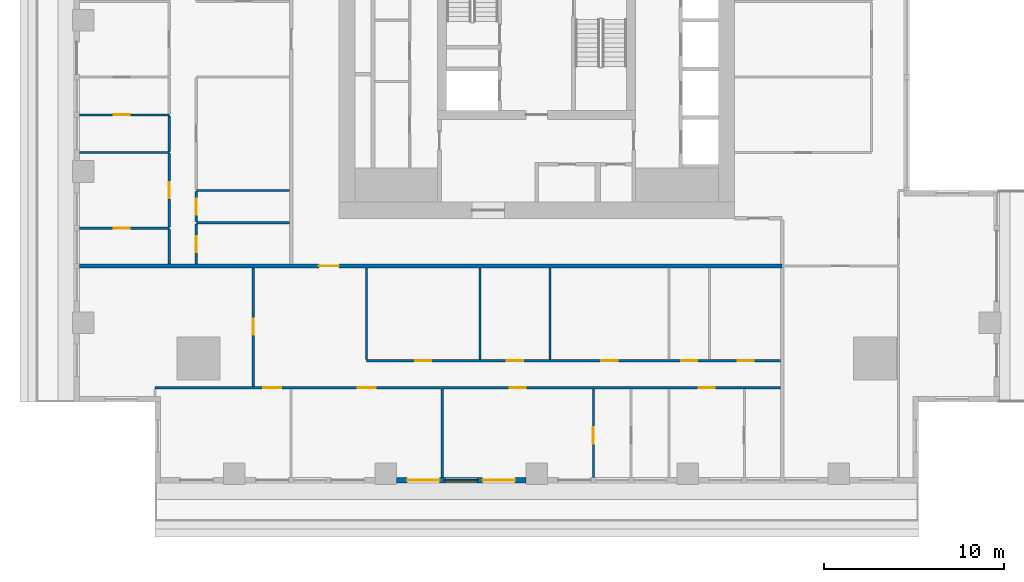
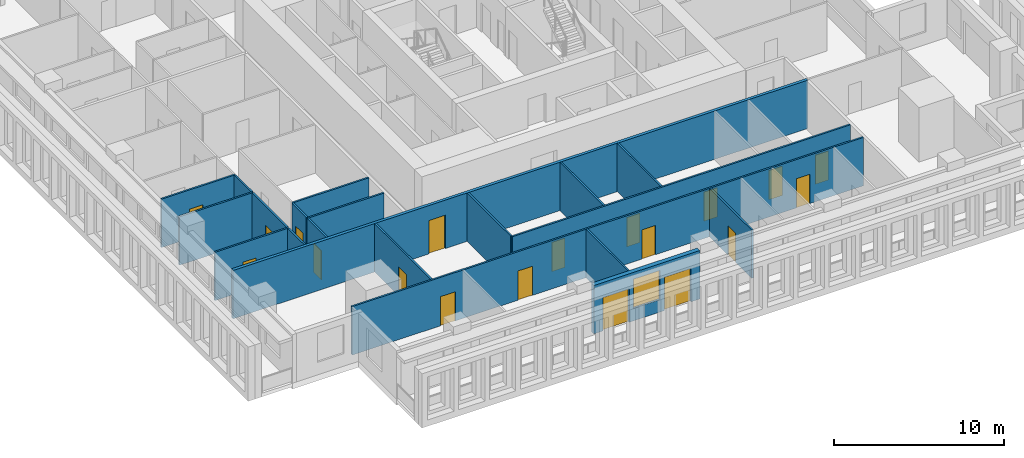
# One storey, part 2 of 15: 20 walls, 19 doors, 1 window, 20 openings.
"""IFC4 building model written with IfcOpenShell, lengths in metres."""

from ifc_helpers import new_model, si_unit, direction, frame, frame_2d, origin, place, context, subcontext, project, spatial, rectangle, extrude, material, layer, layer_set, type_object, element, fill, save


model = new_model("IFC4")

# Units and contexts
model_context = context("Model", 3, precision=1e-05, world=origin(), true_north=direction((0.0, 1.0)))
body_context = subcontext(model_context, "Body", "Model", "MODEL_VIEW")
ifc_project = project(units=[si_unit("LENGTHUNIT", "METRE"), si_unit("AREAUNIT", "SQUARE_METRE"), si_unit("VOLUMEUNIT", "CUBIC_METRE"), si_unit("PLANEANGLEUNIT", "RADIAN"), si_unit("MASSUNIT", "GRAM", prefix="KILO")], contexts=[model_context])

# Site, building, storey
site_placement = place(None, origin())
site = spatial("IfcSite", under=ifc_project, at=site_placement, CompositionType="ELEMENT")
building_placement = place(site_placement, origin())
building = spatial("IfcBuilding", under=site, at=building_placement, Name="Khepri Terraces", CompositionType="ELEMENT")
storey_placement = place(building_placement, frame((0.0, 0.0, 215.699951171875)))
storey = spatial("IfcBuildingStorey", under=building, at=storey_placement, Name="L51", CompositionType="ELEMENT", Elevation=215.699951171875)

# Wall, opening, door
ifc_material_1 = material(Name="Fire-rated gypsum plasterboard partition, mineral wool")
ifc_layer_1 = layer(ifc_material_1, 0.199951171875, Name="Fire-rated gypsum plasterboard partition, mineral wool")
ifc_layer_set_1 = layer_set([ifc_layer_1], Name="Fire-rated gypsum plasterboard partition, mineral wool")
wall_type_1 = type_object("IfcWallType", Name="WL-CORR-200", PredefinedType="PARTITIONING", material=ifc_layer_set_1)
wall_1_placement = place(storey_placement, frame((-25.419921875, -13.64990234375, 0.0), z_axis=(0.0, 0.0, 1.0), x_axis=(1.0, 0.0, 0.0)))
wall_1 = element("IfcWall", 1, at=wall_1_placement, inside=storey, type_object=wall_type_1, Name="Partition P-018 L51", PredefinedType="PARTITIONING", context=body_context, shape_type="SweptSolid", body=[
    extrude(rectangle(XDim=39.06982421875, YDim=0.199951171875, at=frame_2d((19.534912109375, 0.0))), origin(), (0.0, 0.0, 1.0), 3.47998046875),
])
opening_1_placement = place(wall_1_placement, frame((13.320068359375, 0.0, 0.0)))
opening_1 = element("IfcOpeningElement", 2, at=opening_1_placement, cuts=wall_1, Name="Opening D1", PredefinedType="OPENING", context=body_context, shape_type="SweptSolid", body=[
    extrude(rectangle(XDim=1.10009765625, YDim=2.39990234375, at=frame_2d((0.550048828125, 1.199951171875))), frame((0.0, 0.10986328125, 0.0), z_axis=(0.0, -1.0, 0.0), x_axis=(1.0, 0.0, 0.0)), (0.0, 0.0, 1.0), 0.219970703125),
])
ifc_material_2 = material(Name="Solid-core timber door leaf, flat entrance door", Category="wood")
door_type_1 = type_object("IfcDoorType", Name="DR-ENT-1100", OperationType="NOTDEFINED", PredefinedType="DOOR", material=ifc_material_2)
door_1_placement = place(opening_1_placement, frame((1.10009765625, 0.0, 0.0), z_axis=(0.0, 0.0, 1.0), x_axis=(-1.0, 0.0, 0.0)))
door_1 = element("IfcDoor", 3, at=door_1_placement, inside=storey, type_object=door_type_1, Name="Flat A1 entrance door", OperationType="SINGLE_SWING_RIGHT", OverallHeight=2.39990234375, OverallWidth=1.10009765625, PredefinedType="DOOR", context=body_context, shape_type="SweptSolid", body=[
    extrude(rectangle(XDim=1.10009765625, YDim=2.39990234375, at=frame_2d((0.550048828125, 1.199951171875))), frame((0.0, 0.02490234375, 0.0), z_axis=(0.0, -1.0, 0.0), x_axis=(1.0, 0.0, 0.0)), (0.0, 0.0, 1.0), 0.050048828125),
])
fill(opening_1, door_1)

# Wall, openings, doors, window
ifc_material_3 = material(Name="Precast concrete C50/60 warm stone", Category="masonry")
ifc_layer_2 = layer(ifc_material_3, 0.300048828125, Name="Precast concrete C50/60 warm stone", Category="masonry")
ifc_layer_set_2 = layer_set([ifc_layer_2], Name="Precast concrete C50/60 warm stone")
wall_type_2 = type_object("IfcWallType", Name="WL-EXT-PRECAST-300", PredefinedType="STANDARD", material=ifc_layer_set_2)
wall_2_placement = place(storey_placement, frame((-7.800048828125, -25.570068359375, 0.0), z_axis=(0.0, 0.0, 1.0), x_axis=(1.0, 0.0, 0.0)))
wall_2 = element("IfcWall", 4, at=wall_2_placement, inside=storey, type_object=wall_type_2, Name="External wall L51 S", PredefinedType="STANDARD", context=body_context, shape_type="SweptSolid", body=[
    extrude(rectangle(XDim=7.199951171875, YDim=0.300048828125, at=frame_2d((3.60009765625, 0.0))), origin(), (0.0, 0.0, 1.0), 3.47998046875),
])
opening_2_placement = place(wall_2_placement, frame((0.60009765625, 0.0, 0.0)))
opening_2 = element("IfcOpeningElement", 5, at=opening_2_placement, cuts=wall_2, Name="Opening ED-L51-18", PredefinedType="OPENING", context=body_context, shape_type="SweptSolid", body=[
    extrude(rectangle(XDim=1.800048828125, YDim=2.39990234375, at=frame_2d((0.89990234375, 1.199951171875))), frame((0.0, 0.16015625, 0.0), z_axis=(0.0, -1.0, 0.0), x_axis=(1.0, 0.0, 0.0)), (0.0, 0.0, 1.0), 0.320068359375),
])
opening_3_placement = place(wall_2_placement, frame((2.699951171875, 0.0, 0.89990234375)))
opening_3 = element("IfcOpeningElement", 6, at=opening_3_placement, cuts=wall_2, Name="Opening W1", PredefinedType="OPENING", context=body_context, shape_type="SweptSolid", body=[
    extrude(rectangle(XDim=1.800048828125, YDim=2.10009765625, at=frame_2d((0.89990234375, 1.050048828125))), frame((0.0, 0.16015625, 0.0), z_axis=(0.0, -1.0, 0.0), x_axis=(1.0, 0.0, 0.0)), (0.0, 0.0, 1.0), 0.320068359375),
])
opening_4_placement = place(wall_2_placement, frame((4.800048828125, 0.0, 0.0)))
opening_4 = element("IfcOpeningElement", 7, at=opening_4_placement, cuts=wall_2, Name="Opening ED-L51-19", PredefinedType="OPENING", context=body_context, shape_type="SweptSolid", body=[
    extrude(rectangle(XDim=1.800048828125, YDim=2.39990234375, at=frame_2d((0.89990234375, 1.199951171875))), frame((0.0, 0.16015625, 0.0), z_axis=(0.0, -1.0, 0.0), x_axis=(1.0, 0.0, 0.0)), (0.0, 0.0, 1.0), 0.320068359375),
])
ifc_material_4 = material(Name="Anodised aluminium bronze glazed door", Category="aluminium")
door_type_2 = type_object("IfcDoorType", Name="DR-BAL-SLIDE-1800x2400", OperationType="NOTDEFINED", PredefinedType="DOOR", material=ifc_material_4)
door_2_placement = place(opening_2_placement, origin())
door_2 = element("IfcDoor", 8, at=door_2_placement, inside=storey, type_object=door_type_2, Name="Balcony door L51 S", OperationType="SLIDING_TO_LEFT", OverallHeight=2.39990234375, OverallWidth=1.800048828125, PredefinedType="DOOR", context=body_context, shape_type="SweptSolid", body=[
    extrude(rectangle(XDim=1.800048828125, YDim=2.39990234375, at=frame_2d((0.89990234375, 1.199951171875))), frame((0.0, 0.02490234375, 0.0), z_axis=(0.0, -1.0, 0.0), x_axis=(1.0, 0.0, 0.0)), (0.0, 0.0, 1.0), 0.050048828125),
])
fill(opening_2, door_2)
door_3_placement = place(opening_4_placement, origin())
door_3 = element("IfcDoor", 9, at=door_3_placement, inside=storey, type_object=door_type_2, Name="Balcony door L51 S", OperationType="SLIDING_TO_RIGHT", OverallHeight=2.39990234375, OverallWidth=1.800048828125, PredefinedType="DOOR", context=body_context, shape_type="SweptSolid", body=[
    extrude(rectangle(XDim=1.800048828125, YDim=2.39990234375, at=frame_2d((0.89990234375, 1.199951171875))), frame((0.0, 0.02490234375, 0.0), z_axis=(0.0, -1.0, 0.0), x_axis=(1.0, 0.0, 0.0)), (0.0, 0.0, 1.0), 0.050048828125),
])
fill(opening_4, door_3)
ifc_material_5 = material(Name="Clear glass", Category="glass")
window_type = type_object("IfcWindowType", Name="WIN-RES-1800x2100", PartitioningType="SINGLE_PANEL", PredefinedType="WINDOW", material=ifc_material_5)
window_placement = place(opening_3_placement, origin())
window = element("IfcWindow", 10, at=window_placement, inside=storey, type_object=window_type, Name="Window L51 S", OverallHeight=2.10009765625, OverallWidth=1.800048828125, PartitioningType="SINGLE_PANEL", PredefinedType="WINDOW", context=body_context, shape_type="SweptSolid", body=[
    extrude(rectangle(XDim=1.800048828125, YDim=2.10009765625, at=frame_2d((0.89990234375, 1.050048828125))), frame((0.0, 0.030029296875, 0.0), z_axis=(0.0, -1.0, 0.0), x_axis=(1.0, 0.0, 0.0)), (0.0, 0.0, 1.0), 0.06005859375),
])
fill(opening_3, window)

# Wall
ifc_material_6 = material(Name="Gypsum plasterboard partition")
ifc_layer_3 = layer(ifc_material_6, 0.1201171875, Name="Gypsum plasterboard partition")
ifc_layer_set_3 = layer_set([ifc_layer_3], Name="Gypsum plasterboard partition")
wall_type_3 = type_object("IfcWallType", Name="WL-PART-120", PredefinedType="PARTITIONING", material=ifc_layer_set_3)
wall_3_placement = place(storey_placement, frame((-5.25, -25.419921875, 0.0), z_axis=(0.0, 0.0, 1.0), x_axis=(0.0, 1.0, 0.0)))
element("IfcWall", 11, at=wall_3_placement, inside=storey, type_object=wall_type_3, Name="Partition P-002 L51", PredefinedType="PARTITIONING", context=body_context, shape_type="SweptSolid", body=[
    extrude(rectangle(XDim=4.93994140625, YDim=0.1201171875, at=frame_2d((2.469970703125, 0.0))), origin(), (0.0, 0.0, 1.0), 3.47998046875),
])

# Wall, opening, door
wall_4_placement = place(storey_placement, frame((3.14990234375, -25.419921875, 0.0), z_axis=(0.0, 0.0, 1.0), x_axis=(0.0, 1.0, 0.0)))
wall_4 = element("IfcWall", 12, at=wall_4_placement, inside=storey, type_object=wall_type_3, Name="Partition P-003 L51", PredefinedType="PARTITIONING", context=body_context, shape_type="SweptSolid", body=[
    extrude(rectangle(XDim=4.93994140625, YDim=0.1201171875, at=frame_2d((2.469970703125, 0.0))), origin(), (0.0, 0.0, 1.0), 3.47998046875),
])
opening_5_placement = place(wall_4_placement, frame((1.89990234375, 0.0, 0.0)))
opening_5 = element("IfcOpeningElement", 13, at=opening_5_placement, cuts=wall_4, Name="Opening D3", PredefinedType="OPENING", context=body_context, shape_type="SweptSolid", body=[
    extrude(rectangle(XDim=0.89990234375, YDim=2.10009765625, at=frame_2d((0.449951171875, 1.050048828125))), frame((0.0, 0.070068359375, 0.0), z_axis=(0.0, -1.0, 0.0), x_axis=(1.0, 0.0, 0.0)), (0.0, 0.0, 1.0), 0.14013671875),
])
ifc_material_7 = material(Name="Timber door leaf", Category="wood")
door_type_3 = type_object("IfcDoorType", Name="DR-INT-900", OperationType="NOTDEFINED", PredefinedType="DOOR", material=ifc_material_7)
door_4_placement = place(opening_5_placement, frame((0.89990234375, 0.0, 0.0), z_axis=(0.0, 0.0, 1.0), x_axis=(-1.0, 0.0, 0.0)))
door_4 = element("IfcDoor", 14, at=door_4_placement, inside=storey, type_object=door_type_3, Name="Door Dressing Room", OperationType="SINGLE_SWING_RIGHT", OverallHeight=2.10009765625, OverallWidth=0.89990234375, PredefinedType="DOOR", context=body_context, shape_type="SweptSolid", body=[
    extrude(rectangle(XDim=0.89990234375, YDim=2.10009765625, at=frame_2d((0.449951171875, 1.050048828125))), frame((0.0, 0.02490234375, 0.0), z_axis=(0.0, -1.0, 0.0), x_axis=(1.0, 0.0, 0.0)), (0.0, 0.0, 1.0), 0.050048828125),
])
fill(opening_5, door_4)

# Wall, openings, doors
wall_5_placement = place(storey_placement, frame((-21.218994140625, -20.419921875, 0.0), z_axis=(0.0, 0.0, 1.0), x_axis=(1.0, 0.0, 0.0)))
wall_5 = element("IfcWall", 15, at=wall_5_placement, inside=storey, type_object=wall_type_3, Name="Partition P-010 L51", PredefinedType="PARTITIONING", context=body_context, shape_type="SweptSolid", body=[
    extrude(rectangle(XDim=34.76904296875, YDim=0.1201171875, at=frame_2d((17.384521484375, 0.0))), origin(), (0.0, 0.0, 1.0), 3.47998046875),
])
opening_6_placement = place(wall_5_placement, frame((6.01904296875, 0.0, 0.0)))
opening_6 = element("IfcOpeningElement", 16, at=opening_6_placement, cuts=wall_5, Name="Opening D2", PredefinedType="OPENING", context=body_context, shape_type="SweptSolid", body=[
    extrude(rectangle(XDim=1.0, YDim=2.10009765625, at=frame_2d((0.5, 1.050048828125))), frame((0.0, 0.070068359375, 0.0), z_axis=(0.0, -1.0, 0.0), x_axis=(1.0, 0.0, 0.0)), (0.0, 0.0, 1.0), 0.14013671875),
])
opening_7_placement = place(wall_5_placement, frame((11.26904296875, 0.0, 0.0)))
opening_7 = element("IfcOpeningElement", 17, at=opening_7_placement, cuts=wall_5, Name="Opening D2", PredefinedType="OPENING", context=body_context, shape_type="SweptSolid", body=[
    extrude(rectangle(XDim=1.0, YDim=2.10009765625, at=frame_2d((0.5, 1.050048828125))), frame((0.0, 0.070068359375, 0.0), z_axis=(0.0, -1.0, 0.0), x_axis=(1.0, 0.0, 0.0)), (0.0, 0.0, 1.0), 0.14013671875),
])
opening_8_placement = place(wall_5_placement, frame((19.718994140625, 0.0, 0.0)))
opening_8 = element("IfcOpeningElement", 18, at=opening_8_placement, cuts=wall_5, Name="Opening D3", PredefinedType="OPENING", context=body_context, shape_type="SweptSolid", body=[
    extrude(rectangle(XDim=0.89990234375, YDim=2.10009765625, at=frame_2d((0.449951171875, 1.050048828125))), frame((0.0, 0.070068359375, 0.0), z_axis=(0.0, -1.0, 0.0), x_axis=(1.0, 0.0, 0.0)), (0.0, 0.0, 1.0), 0.14013671875),
])
opening_9_placement = place(wall_5_placement, frame((30.218994140625, 0.0, 0.0)))
opening_9 = element("IfcOpeningElement", 19, at=opening_9_placement, cuts=wall_5, Name="Opening D3", PredefinedType="OPENING", context=body_context, shape_type="SweptSolid", body=[
    extrude(rectangle(XDim=0.89990234375, YDim=2.10009765625, at=frame_2d((0.449951171875, 1.050048828125))), frame((0.0, 0.070068359375, 0.0), z_axis=(0.0, -1.0, 0.0), x_axis=(1.0, 0.0, 0.0)), (0.0, 0.0, 1.0), 0.14013671875),
])
ifc_material_8 = material(Name="Timber door leaf, living room door", Category="wood")
door_type_4 = type_object("IfcDoorType", Name="DR-INT-1000", OperationType="NOTDEFINED", PredefinedType="DOOR", material=ifc_material_8)
door_5_placement = place(opening_6_placement, frame((1.0, 0.0, 0.0), z_axis=(0.0, 0.0, 1.0), x_axis=(-1.0, 0.0, 0.0)))
door_5 = element("IfcDoor", 20, at=door_5_placement, inside=storey, type_object=door_type_4, Name="Door Living Room", OperationType="SINGLE_SWING_RIGHT", OverallHeight=2.10009765625, OverallWidth=1.0, PredefinedType="DOOR", context=body_context, shape_type="SweptSolid", body=[
    extrude(rectangle(XDim=1.0, YDim=2.10009765625, at=frame_2d((0.5, 1.050048828125))), frame((0.0, 0.02490234375, 0.0), z_axis=(0.0, -1.0, 0.0), x_axis=(1.0, 0.0, 0.0)), (0.0, 0.0, 1.0), 0.050048828125),
])
fill(opening_6, door_5)
door_6_placement = place(opening_7_placement, frame((1.0, 0.0, 0.0), z_axis=(0.0, 0.0, 1.0), x_axis=(-1.0, 0.0, 0.0)))
door_6 = element("IfcDoor", 21, at=door_6_placement, inside=storey, type_object=door_type_4, Name="Door Family Room", OperationType="SINGLE_SWING_RIGHT", OverallHeight=2.10009765625, OverallWidth=1.0, PredefinedType="DOOR", context=body_context, shape_type="SweptSolid", body=[
    extrude(rectangle(XDim=1.0, YDim=2.10009765625, at=frame_2d((0.5, 1.050048828125))), frame((0.0, 0.02490234375, 0.0), z_axis=(0.0, -1.0, 0.0), x_axis=(1.0, 0.0, 0.0)), (0.0, 0.0, 1.0), 0.050048828125),
])
fill(opening_7, door_6)
door_7_placement = place(opening_8_placement, frame((0.89990234375, 0.0, 0.0), z_axis=(0.0, 0.0, 1.0), x_axis=(-1.0, 0.0, 0.0)))
door_7 = element("IfcDoor", 22, at=door_7_placement, inside=storey, type_object=door_type_3, Name="Door Master Bedroom", OperationType="SINGLE_SWING_LEFT", OverallHeight=2.10009765625, OverallWidth=0.89990234375, PredefinedType="DOOR", context=body_context, shape_type="SweptSolid", body=[
    extrude(rectangle(XDim=0.89990234375, YDim=2.10009765625, at=frame_2d((0.449951171875, 1.050048828125))), frame((0.0, 0.02490234375, 0.0), z_axis=(0.0, -1.0, 0.0), x_axis=(1.0, 0.0, 0.0)), (0.0, 0.0, 1.0), 0.050048828125),
])
fill(opening_8, door_7)
door_8_placement = place(opening_9_placement, frame((0.89990234375, 0.0, 0.0), z_axis=(0.0, 0.0, 1.0), x_axis=(-1.0, 0.0, 0.0)))
door_8 = element("IfcDoor", 23, at=door_8_placement, inside=storey, type_object=door_type_3, Name="Door Bedroom", OperationType="SINGLE_SWING_LEFT", OverallHeight=2.10009765625, OverallWidth=0.89990234375, PredefinedType="DOOR", context=body_context, shape_type="SweptSolid", body=[
    extrude(rectangle(XDim=0.89990234375, YDim=2.10009765625, at=frame_2d((0.449951171875, 1.050048828125))), frame((0.0, 0.02490234375, 0.0), z_axis=(0.0, -1.0, 0.0), x_axis=(1.0, 0.0, 0.0)), (0.0, 0.0, 1.0), 0.050048828125),
])
fill(opening_9, door_8)

# Wall, opening, door
wall_6_placement = place(storey_placement, frame((-15.75, -20.360107421875, 0.0), z_axis=(0.0, 0.0, 1.0), x_axis=(0.0, 1.0, 0.0)))
wall_6 = element("IfcWall", 24, at=wall_6_placement, inside=storey, type_object=wall_type_3, Name="Partition P-011 L51", PredefinedType="PARTITIONING", context=body_context, shape_type="SweptSolid", body=[
    extrude(rectangle(XDim=6.610107421875, YDim=0.1201171875, at=frame_2d((3.30517578125, 0.0))), origin(), (0.0, 0.0, 1.0), 3.47998046875),
])
opening_10_placement = place(wall_6_placement, frame((2.875, 0.0, 0.0)))
opening_10 = element("IfcOpeningElement", 25, at=opening_10_placement, cuts=wall_6, Name="Opening D3", PredefinedType="OPENING", context=body_context, shape_type="SweptSolid", body=[
    extrude(rectangle(XDim=0.89990234375, YDim=2.10009765625, at=frame_2d((0.449951171875, 1.050048828125))), frame((0.0, 0.070068359375, 0.0), z_axis=(0.0, -1.0, 0.0), x_axis=(1.0, 0.0, 0.0)), (0.0, 0.0, 1.0), 0.14013671875),
])
door_9_placement = place(opening_10_placement, origin())
door_9 = element("IfcDoor", 26, at=door_9_placement, inside=storey, type_object=door_type_3, Name="Door Home Gym", OperationType="SINGLE_SWING_RIGHT", OverallHeight=2.10009765625, OverallWidth=0.89990234375, PredefinedType="DOOR", context=body_context, shape_type="SweptSolid", body=[
    extrude(rectangle(XDim=0.89990234375, YDim=2.10009765625, at=frame_2d((0.449951171875, 1.050048828125))), frame((0.0, 0.02490234375, 0.0), z_axis=(0.0, -1.0, 0.0), x_axis=(1.0, 0.0, 0.0)), (0.0, 0.0, 1.0), 0.050048828125),
])
fill(opening_10, door_9)

# Wall, openings, doors
wall_7_placement = place(storey_placement, frame((-9.449951171875, -18.919921875, 0.0), z_axis=(0.0, 0.0, 1.0), x_axis=(1.0, 0.0, 0.0)))
wall_7 = element("IfcWall", 27, at=wall_7_placement, inside=storey, type_object=wall_type_3, Name="Partition P-012 L51", PredefinedType="PARTITIONING", context=body_context, shape_type="SweptSolid", body=[
    extrude(rectangle(XDim=23.0, YDim=0.1201171875, at=frame_2d((11.5, 0.0))), origin(), (0.0, 0.0, 1.0), 3.47998046875),
])
opening_11_placement = place(wall_7_placement, frame((2.699951171875, 0.0, 0.0)))
opening_11 = element("IfcOpeningElement", 28, at=opening_11_placement, cuts=wall_7, Name="Opening D3", PredefinedType="OPENING", context=body_context, shape_type="SweptSolid", body=[
    extrude(rectangle(XDim=0.89990234375, YDim=2.10009765625, at=frame_2d((0.449951171875, 1.050048828125))), frame((0.0, 0.070068359375, 0.0), z_axis=(0.0, -1.0, 0.0), x_axis=(1.0, 0.0, 0.0)), (0.0, 0.0, 1.0), 0.14013671875),
])
opening_12_placement = place(wall_7_placement, frame((7.800048828125, 0.0, 0.0)))
opening_12 = element("IfcOpeningElement", 29, at=opening_12_placement, cuts=wall_7, Name="Opening D3", PredefinedType="OPENING", context=body_context, shape_type="SweptSolid", body=[
    extrude(rectangle(XDim=0.89990234375, YDim=2.10009765625, at=frame_2d((0.449951171875, 1.050048828125))), frame((0.0, 0.070068359375, 0.0), z_axis=(0.0, -1.0, 0.0), x_axis=(1.0, 0.0, 0.0)), (0.0, 0.0, 1.0), 0.14013671875),
])
opening_13_placement = place(wall_7_placement, frame((13.050048828125, 0.0, 0.0)))
opening_13 = element("IfcOpeningElement", 30, at=opening_13_placement, cuts=wall_7, Name="Opening D3", PredefinedType="OPENING", context=body_context, shape_type="SweptSolid", body=[
    extrude(rectangle(XDim=0.89990234375, YDim=2.10009765625, at=frame_2d((0.449951171875, 1.050048828125))), frame((0.0, 0.070068359375, 0.0), z_axis=(0.0, -1.0, 0.0), x_axis=(1.0, 0.0, 0.0)), (0.0, 0.0, 1.0), 0.14013671875),
])
opening_14_placement = place(wall_7_placement, frame((17.47509765625, 0.0, 0.0)))
opening_14 = element("IfcOpeningElement", 31, at=opening_14_placement, cuts=wall_7, Name="Opening D4", PredefinedType="OPENING", context=body_context, shape_type="SweptSolid", body=[
    extrude(rectangle(XDim=0.89990234375, YDim=2.10009765625, at=frame_2d((0.449951171875, 1.050048828125))), frame((0.0, 0.070068359375, 0.0), z_axis=(0.0, -1.0, 0.0), x_axis=(1.0, 0.0, 0.0)), (0.0, 0.0, 1.0), 0.14013671875),
])
opening_15_placement = place(wall_7_placement, frame((20.625, 0.0, 0.0)))
opening_15 = element("IfcOpeningElement", 32, at=opening_15_placement, cuts=wall_7, Name="Opening D4", PredefinedType="OPENING", context=body_context, shape_type="SweptSolid", body=[
    extrude(rectangle(XDim=0.89990234375, YDim=2.10009765625, at=frame_2d((0.449951171875, 1.050048828125))), frame((0.0, 0.070068359375, 0.0), z_axis=(0.0, -1.0, 0.0), x_axis=(1.0, 0.0, 0.0)), (0.0, 0.0, 1.0), 0.14013671875),
])
door_10_placement = place(opening_11_placement, origin())
door_10 = element("IfcDoor", 33, at=door_10_placement, inside=storey, type_object=door_type_3, Name="Door Kitchen", OperationType="SINGLE_SWING_LEFT", OverallHeight=2.10009765625, OverallWidth=0.89990234375, PredefinedType="DOOR", context=body_context, shape_type="SweptSolid", body=[
    extrude(rectangle(XDim=0.89990234375, YDim=2.10009765625, at=frame_2d((0.449951171875, 1.050048828125))), frame((0.0, 0.02490234375, 0.0), z_axis=(0.0, -1.0, 0.0), x_axis=(1.0, 0.0, 0.0)), (0.0, 0.0, 1.0), 0.050048828125),
])
fill(opening_11, door_10)
door_11_placement = place(opening_12_placement, origin())
door_11 = element("IfcDoor", 34, at=door_11_placement, inside=storey, type_object=door_type_3, Name="Door Service Kitchen", OperationType="SINGLE_SWING_LEFT", OverallHeight=2.10009765625, OverallWidth=0.89990234375, PredefinedType="DOOR", context=body_context, shape_type="SweptSolid", body=[
    extrude(rectangle(XDim=0.89990234375, YDim=2.10009765625, at=frame_2d((0.449951171875, 1.050048828125))), frame((0.0, 0.02490234375, 0.0), z_axis=(0.0, -1.0, 0.0), x_axis=(1.0, 0.0, 0.0)), (0.0, 0.0, 1.0), 0.050048828125),
])
fill(opening_12, door_11)
door_12_placement = place(opening_13_placement, origin())
door_12 = element("IfcDoor", 35, at=door_12_placement, inside=storey, type_object=door_type_3, Name="Door Staff Bedroom", OperationType="SINGLE_SWING_RIGHT", OverallHeight=2.10009765625, OverallWidth=0.89990234375, PredefinedType="DOOR", context=body_context, shape_type="SweptSolid", body=[
    extrude(rectangle(XDim=0.89990234375, YDim=2.10009765625, at=frame_2d((0.449951171875, 1.050048828125))), frame((0.0, 0.02490234375, 0.0), z_axis=(0.0, -1.0, 0.0), x_axis=(1.0, 0.0, 0.0)), (0.0, 0.0, 1.0), 0.050048828125),
])
fill(opening_13, door_12)
ifc_material_9 = material(Name="Timber door leaf, moisture resistant", Category="wood")
door_type_5 = type_object("IfcDoorType", Name="DR-WET-900", OperationType="NOTDEFINED", PredefinedType="DOOR", material=ifc_material_9)
door_13_placement = place(opening_14_placement, origin())
door_13 = element("IfcDoor", 36, at=door_13_placement, inside=storey, type_object=door_type_5, Name="Door Powder Room", OperationType="SINGLE_SWING_RIGHT", OverallHeight=2.10009765625, OverallWidth=0.89990234375, PredefinedType="DOOR", context=body_context, shape_type="SweptSolid", body=[
    extrude(rectangle(XDim=0.89990234375, YDim=2.10009765625, at=frame_2d((0.449951171875, 1.050048828125))), frame((0.0, 0.02490234375, 0.0), z_axis=(0.0, -1.0, 0.0), x_axis=(1.0, 0.0, 0.0)), (0.0, 0.0, 1.0), 0.050048828125),
])
fill(opening_14, door_13)
door_14_placement = place(opening_15_placement, origin())
door_14 = element("IfcDoor", 37, at=door_14_placement, inside=storey, type_object=door_type_5, Name="Door Guest Bathroom", OperationType="SINGLE_SWING_RIGHT", OverallHeight=2.10009765625, OverallWidth=0.89990234375, PredefinedType="DOOR", context=body_context, shape_type="SweptSolid", body=[
    extrude(rectangle(XDim=0.89990234375, YDim=2.10009765625, at=frame_2d((0.449951171875, 1.050048828125))), frame((0.0, 0.02490234375, 0.0), z_axis=(0.0, -1.0, 0.0), x_axis=(1.0, 0.0, 0.0)), (0.0, 0.0, 1.0), 0.050048828125),
])
fill(opening_15, door_14)

# Walls
for number, where, z_axis, x_axis, name in (
    (38, (-9.449951171875, -18.860107421875, 0.0), (0.0, 0.0, 1.0), (0.0, 1.0, 0.0), "Partition P-013 L51"),
    (39, (-3.14990234375, -18.860107421875, 0.0), (0.0, 0.0, 1.0), (0.0, 1.0, 0.0), "Partition P-014 L51"),
    (40, (0.75, -18.860107421875, 0.0), (0.0, 0.0, 1.0), (0.0, 1.0, 0.0), "Partition P-015 L51"),
):
    element("IfcWall", number, at=place(storey_placement, frame(where, z_axis=z_axis, x_axis=x_axis)), inside=storey, type_object=wall_type_3, Name=name, PredefinedType="PARTITIONING", context=body_context, shape_type="SweptSolid", body=[
        extrude(rectangle(XDim=5.110107421875, YDim=0.1201171875, at=frame_2d((2.55517578125, 0.0))), origin(), (0.0, 0.0, 1.0), 3.47998046875),
    ])
wall_8_placement = place(storey_placement, frame((-20.419921875, -13.550048828125, 0.0), z_axis=(0.0, 0.0, 1.0), x_axis=(0.0, 1.0, 0.0)))
element("IfcWall", 41, at=wall_8_placement, inside=storey, type_object=wall_type_3, Name="Partition P-021 L51", PredefinedType="PARTITIONING", context=body_context, shape_type="SweptSolid", body=[
    extrude(rectangle(XDim=1.93994140625, YDim=0.1201171875, at=frame_2d((0.969970703125, 0.0))), origin(), (0.0, 0.0, 1.0), 3.47998046875),
])

# Wall, opening, door
wall_9_placement = place(storey_placement, frame((-18.919921875, -13.550048828125, 0.0), z_axis=(0.0, 0.0, 1.0), x_axis=(0.0, 1.0, 0.0)))
wall_9 = element("IfcWall", 42, at=wall_9_placement, inside=storey, type_object=wall_type_3, Name="Partition P-022 L51", PredefinedType="PARTITIONING", context=body_context, shape_type="SweptSolid", body=[
    extrude(rectangle(XDim=2.239990234375, YDim=0.1201171875, at=frame_2d((1.1201171875, 0.0))), origin(), (0.0, 0.0, 1.0), 3.47998046875),
])
opening_16_placement = place(wall_9_placement, frame((0.64990234375, 0.0, 0.0)))
opening_16 = element("IfcOpeningElement", 43, at=opening_16_placement, cuts=wall_9, Name="Opening D3", PredefinedType="OPENING", context=body_context, shape_type="SweptSolid", body=[
    extrude(rectangle(XDim=0.89990234375, YDim=2.10009765625, at=frame_2d((0.449951171875, 1.050048828125))), frame((0.0, 0.070068359375, 0.0), z_axis=(0.0, -1.0, 0.0), x_axis=(1.0, 0.0, 0.0)), (0.0, 0.0, 1.0), 0.14013671875),
])
door_15_placement = place(opening_16_placement, frame((0.89990234375, 0.0, 0.0), z_axis=(0.0, 0.0, 1.0), x_axis=(-1.0, 0.0, 0.0)))
door_15 = element("IfcDoor", 44, at=door_15_placement, inside=storey, type_object=door_type_3, Name="Door Utility Room", OperationType="SINGLE_SWING_RIGHT", OverallHeight=2.10009765625, OverallWidth=0.89990234375, PredefinedType="DOOR", context=body_context, shape_type="SweptSolid", body=[
    extrude(rectangle(XDim=0.89990234375, YDim=2.10009765625, at=frame_2d((0.449951171875, 1.050048828125))), frame((0.0, 0.02490234375, 0.0), z_axis=(0.0, -1.0, 0.0), x_axis=(1.0, 0.0, 0.0)), (0.0, 0.0, 1.0), 0.050048828125),
])
fill(opening_16, door_15)

wall_10_placement = place(storey_placement, frame((-25.419921875, -11.550048828125, 0.0), z_axis=(0.0, 0.0, 1.0), x_axis=(1.0, 0.0, 0.0)))
wall_10 = element("IfcWall", 45, at=wall_10_placement, inside=storey, type_object=wall_type_3, Name="Partition P-025 L51", PredefinedType="PARTITIONING", context=body_context, shape_type="SweptSolid", body=[
    extrude(rectangle(XDim=5.0, YDim=0.1201171875, at=frame_2d((2.5, 0.0))), origin(), (0.0, 0.0, 1.0), 3.47998046875),
])
opening_17_placement = place(wall_10_placement, frame((1.89990234375, 0.0, 0.0)))
opening_17 = element("IfcOpeningElement", 46, at=opening_17_placement, cuts=wall_10, Name="Opening D4", PredefinedType="OPENING", context=body_context, shape_type="SweptSolid", body=[
    extrude(rectangle(XDim=0.89990234375, YDim=2.10009765625, at=frame_2d((0.449951171875, 1.050048828125))), frame((0.0, 0.070068359375, 0.0), z_axis=(0.0, -1.0, 0.0), x_axis=(1.0, 0.0, 0.0)), (0.0, 0.0, 1.0), 0.14013671875),
])
door_16_placement = place(opening_17_placement, frame((0.89990234375, 0.0, 0.0), z_axis=(0.0, 0.0, 1.0), x_axis=(-1.0, 0.0, 0.0)))
door_16 = element("IfcDoor", 47, at=door_16_placement, inside=storey, type_object=door_type_5, Name="Door Bathroom", OperationType="SINGLE_SWING_RIGHT", OverallHeight=2.10009765625, OverallWidth=0.89990234375, PredefinedType="DOOR", context=body_context, shape_type="SweptSolid", body=[
    extrude(rectangle(XDim=0.89990234375, YDim=2.10009765625, at=frame_2d((0.449951171875, 1.050048828125))), frame((0.0, 0.02490234375, 0.0), z_axis=(0.0, -1.0, 0.0), x_axis=(1.0, 0.0, 0.0)), (0.0, 0.0, 1.0), 0.050048828125),
])
fill(opening_17, door_16)

wall_11_placement = place(storey_placement, frame((-20.419921875, -11.489990234375, 0.0), z_axis=(0.0, 0.0, 1.0), x_axis=(0.0, 1.0, 0.0)))
wall_11 = element("IfcWall", 48, at=wall_11_placement, inside=storey, type_object=wall_type_3, Name="Partition P-026 L51", PredefinedType="PARTITIONING", context=body_context, shape_type="SweptSolid", body=[
    extrude(rectangle(XDim=4.080078125, YDim=0.1201171875, at=frame_2d((2.0400390625, 0.0))), origin(), (0.0, 0.0, 1.0), 3.47998046875),
])
opening_18_placement = place(wall_11_placement, frame((1.590087890625, 0.0, 0.0)))
opening_18 = element("IfcOpeningElement", 49, at=opening_18_placement, cuts=wall_11, Name="Opening D3", PredefinedType="OPENING", context=body_context, shape_type="SweptSolid", body=[
    extrude(rectangle(XDim=0.89990234375, YDim=2.10009765625, at=frame_2d((0.449951171875, 1.050048828125))), frame((0.0, 0.070068359375, 0.0), z_axis=(0.0, -1.0, 0.0), x_axis=(1.0, 0.0, 0.0)), (0.0, 0.0, 1.0), 0.14013671875),
])
door_17_placement = place(opening_18_placement, origin())
door_17 = element("IfcDoor", 50, at=door_17_placement, inside=storey, type_object=door_type_3, Name="Door Bedroom", OperationType="SINGLE_SWING_RIGHT", OverallHeight=2.10009765625, OverallWidth=0.89990234375, PredefinedType="DOOR", context=body_context, shape_type="SweptSolid", body=[
    extrude(rectangle(XDim=0.89990234375, YDim=2.10009765625, at=frame_2d((0.449951171875, 1.050048828125))), frame((0.0, 0.02490234375, 0.0), z_axis=(0.0, -1.0, 0.0), x_axis=(1.0, 0.0, 0.0)), (0.0, 0.0, 1.0), 0.050048828125),
])
fill(opening_18, door_17)

# Wall
wall_12_placement = place(storey_placement, frame((-18.919921875, -11.25, 0.0), z_axis=(0.0, 0.0, 1.0), x_axis=(1.0, 0.0, 0.0)))
element("IfcWall", 51, at=wall_12_placement, inside=storey, type_object=wall_type_3, Name="Partition P-027 L51", PredefinedType="PARTITIONING", context=body_context, shape_type="SweptSolid", body=[
    extrude(rectangle(XDim=5.169921875, YDim=0.1201171875, at=frame_2d((2.5849609375, 0.0))), origin(), (0.0, 0.0, 1.0), 3.47998046875),
])

# Wall, opening, door
wall_13_placement = place(storey_placement, frame((-18.919921875, -11.18994140625, 0.0), z_axis=(0.0, 0.0, 1.0), x_axis=(0.0, 1.0, 0.0)))
wall_13 = element("IfcWall", 52, at=wall_13_placement, inside=storey, type_object=wall_type_3, Name="Partition P-028 L51", PredefinedType="PARTITIONING", context=body_context, shape_type="SweptSolid", body=[
    extrude(rectangle(XDim=1.679931640625, YDim=0.1201171875, at=frame_2d((0.83984375, 0.0))), origin(), (0.0, 0.0, 1.0), 3.47998046875),
])
opening_19_placement = place(wall_13_placement, frame((0.389892578125, 0.0, 0.0)))
opening_19 = element("IfcOpeningElement", 53, at=opening_19_placement, cuts=wall_13, Name="Opening D4", PredefinedType="OPENING", context=body_context, shape_type="SweptSolid", body=[
    extrude(rectangle(XDim=0.89990234375, YDim=2.10009765625, at=frame_2d((0.449951171875, 1.050048828125))), frame((0.0, 0.070068359375, 0.0), z_axis=(0.0, -1.0, 0.0), x_axis=(1.0, 0.0, 0.0)), (0.0, 0.0, 1.0), 0.14013671875),
])
door_18_placement = place(opening_19_placement, frame((0.89990234375, 0.0, 0.0), z_axis=(0.0, 0.0, 1.0), x_axis=(-1.0, 0.0, 0.0)))
door_18 = element("IfcDoor", 54, at=door_18_placement, inside=storey, type_object=door_type_5, Name="Door Powder Room", OperationType="SINGLE_SWING_LEFT", OverallHeight=2.10009765625, OverallWidth=0.89990234375, PredefinedType="DOOR", context=body_context, shape_type="SweptSolid", body=[
    extrude(rectangle(XDim=0.89990234375, YDim=2.10009765625, at=frame_2d((0.449951171875, 1.050048828125))), frame((0.0, 0.02490234375, 0.0), z_axis=(0.0, -1.0, 0.0), x_axis=(1.0, 0.0, 0.0)), (0.0, 0.0, 1.0), 0.050048828125),
])
fill(opening_19, door_18)

# Walls
wall_14_placement = place(storey_placement, frame((-18.919921875, -9.449951171875, 0.0), z_axis=(0.0, 0.0, 1.0), x_axis=(1.0, 0.0, 0.0)))
element("IfcWall", 55, at=wall_14_placement, inside=storey, type_object=wall_type_3, Name="Partition P-030 L51", PredefinedType="PARTITIONING", context=body_context, shape_type="SweptSolid", body=[
    extrude(rectangle(XDim=5.169921875, YDim=0.1201171875, at=frame_2d((2.5849609375, 0.0))), origin(), (0.0, 0.0, 1.0), 3.47998046875),
])
wall_15_placement = place(storey_placement, frame((-25.419921875, -7.35009765625, 0.0), z_axis=(0.0, 0.0, 1.0), x_axis=(1.0, 0.0, 0.0)))
element("IfcWall", 56, at=wall_15_placement, inside=storey, type_object=wall_type_3, Name="Partition P-033 L51", PredefinedType="PARTITIONING", context=body_context, shape_type="SweptSolid", body=[
    extrude(rectangle(XDim=5.0, YDim=0.1201171875, at=frame_2d((2.5, 0.0))), origin(), (0.0, 0.0, 1.0), 3.47998046875),
])
wall_16_placement = place(storey_placement, frame((-20.419921875, -7.2900390625, 0.0), z_axis=(0.0, 0.0, 1.0), x_axis=(0.0, 1.0, 0.0)))
element("IfcWall", 57, at=wall_16_placement, inside=storey, type_object=wall_type_3, Name="Partition P-035 L51", PredefinedType="PARTITIONING", context=body_context, shape_type="SweptSolid", body=[
    extrude(rectangle(XDim=1.97998046875, YDim=0.1201171875, at=frame_2d((0.989990234375, 0.0))), origin(), (0.0, 0.0, 1.0), 3.47998046875),
])

# Wall, opening, door
wall_17_placement = place(storey_placement, frame((-25.419921875, -5.25, 0.0), z_axis=(0.0, 0.0, 1.0), x_axis=(1.0, 0.0, 0.0)))
wall_17 = element("IfcWall", 58, at=wall_17_placement, inside=storey, type_object=wall_type_3, Name="Partition P-037 L51", PredefinedType="PARTITIONING", context=body_context, shape_type="SweptSolid", body=[
    extrude(rectangle(XDim=5.0, YDim=0.1201171875, at=frame_2d((2.5, 0.0))), origin(), (0.0, 0.0, 1.0), 3.47998046875),
])
opening_20_placement = place(wall_17_placement, frame((1.89990234375, 0.0, 0.0)))
opening_20 = element("IfcOpeningElement", 59, at=opening_20_placement, cuts=wall_17, Name="Opening D4", PredefinedType="OPENING", context=body_context, shape_type="SweptSolid", body=[
    extrude(rectangle(XDim=0.89990234375, YDim=2.10009765625, at=frame_2d((0.449951171875, 1.050048828125))), frame((0.0, 0.070068359375, 0.0), z_axis=(0.0, -1.0, 0.0), x_axis=(1.0, 0.0, 0.0)), (0.0, 0.0, 1.0), 0.14013671875),
])
door_19_placement = place(opening_20_placement, frame((0.89990234375, 0.0, 0.0), z_axis=(0.0, 0.0, 1.0), x_axis=(-1.0, 0.0, 0.0)))
door_19 = element("IfcDoor", 60, at=door_19_placement, inside=storey, type_object=door_type_5, Name="Door Bathroom", OperationType="SINGLE_SWING_RIGHT", OverallHeight=2.10009765625, OverallWidth=0.89990234375, PredefinedType="DOOR", context=body_context, shape_type="SweptSolid", body=[
    extrude(rectangle(XDim=0.89990234375, YDim=2.10009765625, at=frame_2d((0.449951171875, 1.050048828125))), frame((0.0, 0.02490234375, 0.0), z_axis=(0.0, -1.0, 0.0), x_axis=(1.0, 0.0, 0.0)), (0.0, 0.0, 1.0), 0.050048828125),
])
fill(opening_20, door_19)

save(model, "model.ifc")
